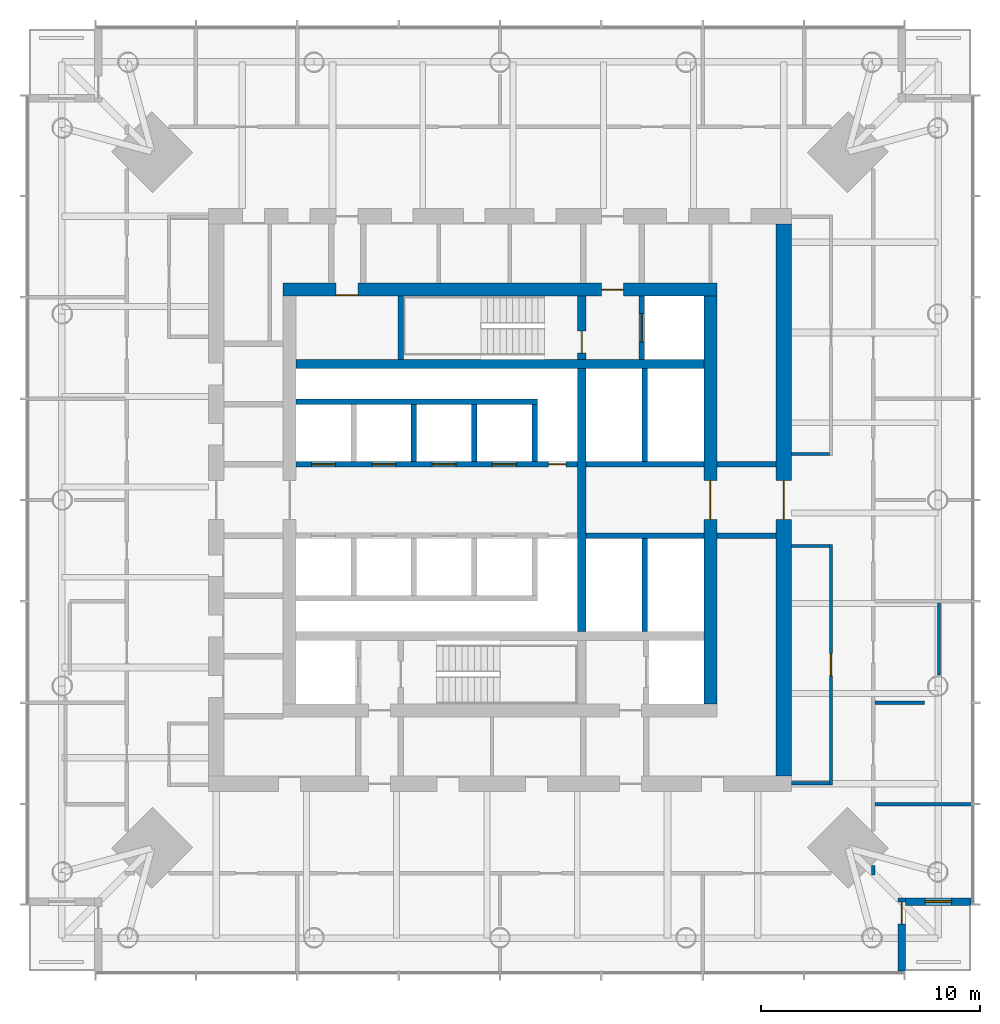
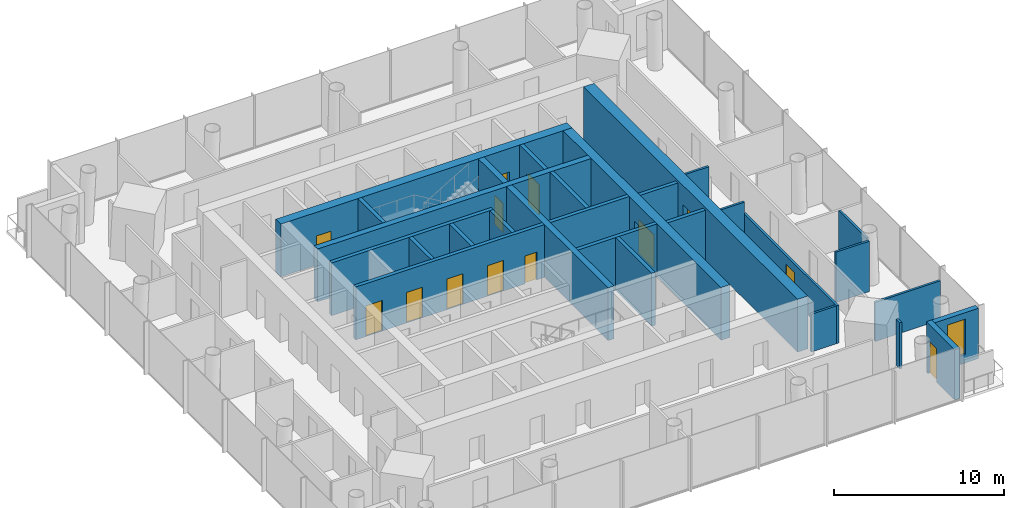
# One storey, part 6 of 9: 29 walls, 13 doors, 1 window, 14 openings.
"""IFC4 building model written with IfcOpenShell, lengths in metres."""

from ifc_helpers import new_model, si_unit, direction, frame, frame_2d, origin, place, context, subcontext, project, spatial, rectangle, extrude, material, layer, layer_set, type_object, element, fill, save


model = new_model("IFC4")

# Units and contexts
model_context = context("Model", 3, precision=1e-05, world=origin(), true_north=direction((0.0, 1.0)))
body_context = subcontext(model_context, "Body", "Model", "MODEL_VIEW")
ifc_project = project(units=[si_unit("LENGTHUNIT", "METRE"), si_unit("AREAUNIT", "SQUARE_METRE"), si_unit("VOLUMEUNIT", "CUBIC_METRE"), si_unit("PLANEANGLEUNIT", "RADIAN"), si_unit("MASSUNIT", "GRAM", prefix="KILO")], contexts=[model_context])

# Site, building, storey
site_placement = place(None, origin())
site = spatial("IfcSite", under=ifc_project, at=site_placement, CompositionType="ELEMENT")
building_placement = place(site_placement, origin())
building = spatial("IfcBuilding", under=site, at=building_placement, Name="Ostroluk Exchange", CompositionType="ELEMENT")
storey_placement = place(building_placement, frame((0.0, 0.0, 146.39990234375)))
storey = spatial("IfcBuildingStorey", under=building, at=storey_placement, Name="L37", CompositionType="ELEMENT", Elevation=146.39990234375)

# Walls
ifc_material_1 = material(Name="Concrete blockwork", Category="masonry")
ifc_layer_1 = layer(ifc_material_1, 0.25)
ifc_layer_set_1 = layer_set([ifc_layer_1], Name="Blockwork stair enclosure wall 250")
wall_type_1 = type_object("IfcWallType", Name="Blockwork stair enclosure wall 250", PredefinedType="SOLIDWALL", material=ifc_layer_set_1)
for number, where, z_axis, x_axis, name in (
    (1, (54.89990234375, 44.375, 0.0), (0.0, 0.0, 1.0), (1.0, 0.0, 0.0), "Lift lobby enclosure wall"),
    (2, (54.89990234375, 47.625, 0.0), (0.0, 0.0, 1.0), (1.0, 0.0, 0.0), "Lift lobby enclosure wall"),
):
    element("IfcWall", number, at=place(storey_placement, frame(where, z_axis=z_axis, x_axis=x_axis)), inside=storey, type_object=wall_type_1, Name=name, PredefinedType="SOLIDWALL", context=body_context, shape_type="SweptSolid", body=[
        extrude(rectangle(XDim=2.7001953125, YDim=0.25, at=frame_2d((1.35009765625, 0.0))), origin(), (0.0, 0.0, 1.0), 3.6201171875),
    ])
ifc_material_2 = material(Name="Concrete C50/60", Category="concrete")
ifc_layer_2 = layer(ifc_material_2, 0.39990234375)
ifc_layer_set_2 = layer_set([ifc_layer_2], Name="Core cross wall 400 C50/60")
wall_type_2 = type_object("IfcWallType", Name="Core cross wall 400 C50/60", PredefinedType="SHEAR", material=ifc_layer_set_2)
wall_1_placement = place(storey_placement, frame((35.699951171875, 52.199951171875, 0.0), z_axis=(0.0, 0.0, 1.0), x_axis=(1.0, 0.0, 0.0)))
element("IfcWall", 3, at=wall_1_placement, inside=storey, type_object=wall_type_2, Name="T1 core wall XN", PredefinedType="SHEAR", context=body_context, shape_type="SweptSolid", body=[
    extrude(rectangle(XDim=18.60009765625, YDim=0.39990234375, at=frame_2d((9.300048828125, 0.0))), origin(), (0.0, 0.0, 1.0), 3.800048828125),
])
wall_2_placement = place(storey_placement, frame((48.72998046875, 40.0, 0.0), z_axis=(0.0, 0.0, 1.0), x_axis=(0.0, 1.0, 0.0)))
element("IfcWall", 4, at=wall_2_placement, inside=storey, type_object=wall_type_2, Name="T1 core wall YE2", PredefinedType="SHEAR", context=body_context, shape_type="SweptSolid", body=[
    extrude(rectangle(XDim=12.0, YDim=0.39990234375, at=frame_2d((6.0, 0.0))), origin(), (0.0, 0.0, 1.0), 3.800048828125),
])

# Wall, opening, door
wall_3_placement = place(storey_placement, frame((48.72998046875, 52.39990234375, 0.0), z_axis=(0.0, 0.0, 1.0), x_axis=(0.0, 1.0, 0.0)))
wall_3 = element("IfcWall", 5, at=wall_3_placement, inside=storey, type_object=wall_type_2, Name="T1 core wall YE3", PredefinedType="SHEAR", context=body_context, shape_type="SweptSolid", body=[
    extrude(rectangle(XDim=2.900146484375, YDim=0.39990234375, at=frame_2d((1.4501953125, 0.0))), origin(), (0.0, 0.0, 1.0), 3.800048828125),
])
opening_1_placement = place(wall_3_placement, frame((0.300048828125, 0.0, 0.0)))
opening_1 = element("IfcOpeningElement", 6, at=opening_1_placement, cuts=wall_3, Name="Opening FD60", PredefinedType="OPENING", context=body_context, shape_type="SweptSolid", body=[
    extrude(rectangle(XDim=1.0, YDim=2.10009765625, at=frame_2d((0.5, 1.050048828125))), frame((0.0, 0.2099609375, 0.0), z_axis=(0.0, -1.0, 0.0), x_axis=(1.0, 0.0, 0.0)), (0.0, 0.0, 1.0), 0.419921875),
])
ifc_material_3 = material(Name="Steel", Category="steel")
door_type_1 = type_object("IfcDoorType", Name="Fire door EI 60 1000 x 2100", OperationType="SINGLE_SWING_LEFT", PredefinedType="DOOR", material=ifc_material_3)
door_1_placement = place(opening_1_placement, origin())
door_1 = element("IfcDoor", 7, at=door_1_placement, inside=storey, type_object=door_type_1, Name="Stair T1-S2 door", OperationType="SINGLE_SWING_LEFT", OverallHeight=2.10009765625, OverallWidth=1.0, PredefinedType="DOOR", context=body_context, shape_type="SweptSolid", body=[
    extrude(rectangle(XDim=1.0, YDim=2.10009765625, at=frame_2d((0.5, 1.050048828125))), frame((0.0, 0.02490234375, 0.0), z_axis=(0.0, -1.0, 0.0), x_axis=(1.0, 0.0, 0.0)), (0.0, 0.0, 1.0), 0.050048828125),
])
fill(opening_1, door_1)

# Wall
ifc_material_4 = material(Name="Concrete C40/50", Category="concrete")
ifc_layer_3 = layer(ifc_material_4, 0.25)
ifc_layer_set_3 = layer_set([ifc_layer_3], Name="Core shaft wall 250")
wall_type_3 = type_object("IfcWallType", Name="Core shaft wall 250", PredefinedType="SHEAR", material=ifc_layer_set_3)
wall_4_placement = place(storey_placement, frame((40.47509765625, 52.39990234375, 0.0), z_axis=(0.0, 0.0, 1.0), x_axis=(0.0, 1.0, 0.0)))
element("IfcWall", 8, at=wall_4_placement, inside=storey, type_object=wall_type_3, Name="Stair shaft wall", PredefinedType="SHEAR", context=body_context, shape_type="SweptSolid", body=[
    extrude(rectangle(XDim=2.900146484375, YDim=0.25, at=frame_2d((1.4501953125, 0.0))), origin(), (0.0, 0.0, 1.0), 3.800048828125),
])

# Wall, opening, door
wall_5_placement = place(storey_placement, frame((51.47509765625, 52.39990234375, 0.0), z_axis=(0.0, 0.0, 1.0), x_axis=(0.0, 1.0, 0.0)))
wall_5 = element("IfcWall", 9, at=wall_5_placement, inside=storey, type_object=wall_type_3, Name="Firefighting lift shaft wall", PredefinedType="SHEAR", context=body_context, shape_type="SweptSolid", body=[
    extrude(rectangle(XDim=2.900146484375, YDim=0.25, at=frame_2d((1.4501953125, 0.0))), origin(), (0.0, 0.0, 1.0), 3.800048828125),
])
opening_2_placement = place(wall_5_placement, frame((0.800048828125, 0.0, 0.0)))
opening_2 = element("IfcOpeningElement", 10, at=opening_2_placement, cuts=wall_5, Name="Opening LD2", PredefinedType="OPENING", context=body_context, shape_type="SweptSolid", body=[
    extrude(rectangle(XDim=1.300048828125, YDim=2.199951171875, at=frame_2d((0.64990234375, 1.10009765625))), frame((0.0, 0.135009765625, 0.0), z_axis=(0.0, -1.0, 0.0), x_axis=(1.0, 0.0, 0.0)), (0.0, 0.0, 1.0), 0.27001953125),
])
ifc_material_5 = material(Name="Stainless steel", Category="steel")
door_type_2 = type_object("IfcDoorType", Name="Lift landing door E 60 1300 x 2200", OperationType="DOUBLE_DOOR_SLIDING", PredefinedType="DOOR", material=ifc_material_5)
door_2_placement = place(opening_2_placement, origin())
door_2 = element("IfcDoor", 11, at=door_2_placement, inside=storey, type_object=door_type_2, Name="Lift FL2 landing door", OperationType="DOUBLE_DOOR_SLIDING", OverallHeight=2.199951171875, OverallWidth=1.300048828125, PredefinedType="DOOR", context=body_context, shape_type="SweptSolid", body=[
    extrude(rectangle(XDim=1.300048828125, YDim=2.199951171875, at=frame_2d((0.64990234375, 1.10009765625))), frame((0.0, 0.02490234375, 0.0), z_axis=(0.0, -1.0, 0.0), x_axis=(1.0, 0.0, 0.0)), (0.0, 0.0, 1.0), 0.050048828125),
])
fill(opening_2, door_2)

# Walls
for number, where, z_axis, x_axis, name in (
    (12, (41.074951171875, 47.75, 0.0), (0.0, 0.0, 1.0), (0.0, 1.0, 0.0), "Lift shaft wall"),
    (13, (43.824951171875, 47.75, 0.0), (0.0, 0.0, 1.0), (0.0, 1.0, 0.0), "Lift shaft wall"),
    (14, (46.574951171875, 47.75, 0.0), (0.0, 0.0, 1.0), (0.0, 1.0, 0.0), "Lift shaft wall"),
):
    element("IfcWall", number, at=place(storey_placement, frame(where, z_axis=z_axis, x_axis=x_axis)), inside=storey, type_object=wall_type_3, Name=name, PredefinedType="SHEAR", context=body_context, shape_type="SweptSolid", body=[
        extrude(rectangle(XDim=2.60009765625, YDim=0.25, at=frame_2d((1.300048828125, 0.0))), origin(), (0.0, 0.0, 1.0), 3.800048828125),
    ])
wall_6_placement = place(storey_placement, frame((35.699951171875, 50.47509765625, 0.0), z_axis=(0.0, 0.0, 1.0), x_axis=(1.0, 0.0, 0.0)))
element("IfcWall", 15, at=wall_6_placement, inside=storey, type_object=wall_type_3, Name="Lift shaft wall", PredefinedType="SHEAR", context=body_context, shape_type="SweptSolid", body=[
    extrude(rectangle(XDim=11.0, YDim=0.25, at=frame_2d((5.5, 0.0))), origin(), (0.0, 0.0, 1.0), 3.800048828125),
])

# Wall, openings, doors
wall_7_placement = place(storey_placement, frame((35.699951171875, 47.625, 0.0), z_axis=(0.0, 0.0, 1.0), x_axis=(1.0, 0.0, 0.0)))
wall_7 = element("IfcWall", 16, at=wall_7_placement, inside=storey, type_object=wall_type_3, Name="Lift shaft front wall", PredefinedType="SHEAR", context=body_context, shape_type="SweptSolid", body=[
    extrude(rectangle(XDim=12.830078125, YDim=0.25, at=frame_2d((6.4150390625, 0.0))), origin(), (0.0, 0.0, 1.0), 3.800048828125),
])
opening_3_placement = place(wall_7_placement, frame((0.699951171875, 0.0, 0.0)))
opening_3 = element("IfcOpeningElement", 17, at=opening_3_placement, cuts=wall_7, Name="Opening LD", PredefinedType="OPENING", context=body_context, shape_type="SweptSolid", body=[
    extrude(rectangle(XDim=1.10009765625, YDim=2.199951171875, at=frame_2d((0.550048828125, 1.10009765625))), frame((0.0, 0.135009765625, 0.0), z_axis=(0.0, -1.0, 0.0), x_axis=(1.0, 0.0, 0.0)), (0.0, 0.0, 1.0), 0.27001953125),
])
opening_4_placement = place(wall_7_placement, frame((3.449951171875, 0.0, 0.0)))
opening_4 = element("IfcOpeningElement", 18, at=opening_4_placement, cuts=wall_7, Name="Opening LD", PredefinedType="OPENING", context=body_context, shape_type="SweptSolid", body=[
    extrude(rectangle(XDim=1.10009765625, YDim=2.199951171875, at=frame_2d((0.550048828125, 1.10009765625))), frame((0.0, 0.135009765625, 0.0), z_axis=(0.0, -1.0, 0.0), x_axis=(1.0, 0.0, 0.0)), (0.0, 0.0, 1.0), 0.27001953125),
])
opening_5_placement = place(wall_7_placement, frame((6.199951171875, 0.0, 0.0)))
opening_5 = element("IfcOpeningElement", 19, at=opening_5_placement, cuts=wall_7, Name="Opening LD", PredefinedType="OPENING", context=body_context, shape_type="SweptSolid", body=[
    extrude(rectangle(XDim=1.10009765625, YDim=2.199951171875, at=frame_2d((0.550048828125, 1.10009765625))), frame((0.0, 0.135009765625, 0.0), z_axis=(0.0, -1.0, 0.0), x_axis=(1.0, 0.0, 0.0)), (0.0, 0.0, 1.0), 0.27001953125),
])
opening_6_placement = place(wall_7_placement, frame((8.949951171875, 0.0, 0.0)))
opening_6 = element("IfcOpeningElement", 20, at=opening_6_placement, cuts=wall_7, Name="Opening LD", PredefinedType="OPENING", context=body_context, shape_type="SweptSolid", body=[
    extrude(rectangle(XDim=1.10009765625, YDim=2.199951171875, at=frame_2d((0.550048828125, 1.10009765625))), frame((0.0, 0.135009765625, 0.0), z_axis=(0.0, -1.0, 0.0), x_axis=(1.0, 0.0, 0.0)), (0.0, 0.0, 1.0), 0.27001953125),
])
opening_7_placement = place(wall_7_placement, frame((11.514892578125, 0.0, 0.0)))
opening_7 = element("IfcOpeningElement", 21, at=opening_7_placement, cuts=wall_7, Name="Opening RD60", PredefinedType="OPENING", context=body_context, shape_type="SweptSolid", body=[
    extrude(rectangle(XDim=0.800048828125, YDim=2.0, at=frame_2d((0.39990234375, 1.0))), frame((0.0, 0.135009765625, 0.0), z_axis=(0.0, -1.0, 0.0), x_axis=(1.0, 0.0, 0.0)), (0.0, 0.0, 1.0), 0.27001953125),
])
ifc_material_6 = material(Name="Stainless steel", Category="steel")
door_type_3 = type_object("IfcDoorType", Name="Lift landing door E 60 1100 x 2200", OperationType="DOUBLE_DOOR_SLIDING", PredefinedType="DOOR", material=ifc_material_6)
door_3_placement = place(opening_3_placement, origin())
door_3 = element("IfcDoor", 22, at=door_3_placement, inside=storey, type_object=door_type_3, Name="Lift PL-M1 landing door", OperationType="DOUBLE_DOOR_SLIDING", OverallHeight=2.199951171875, OverallWidth=1.10009765625, PredefinedType="DOOR", context=body_context, shape_type="SweptSolid", body=[
    extrude(rectangle(XDim=1.10009765625, YDim=2.199951171875, at=frame_2d((0.550048828125, 1.10009765625))), frame((0.0, 0.02490234375, 0.0), z_axis=(0.0, -1.0, 0.0), x_axis=(1.0, 0.0, 0.0)), (0.0, 0.0, 1.0), 0.050048828125),
])
fill(opening_3, door_3)
door_4_placement = place(opening_4_placement, origin())
door_4 = element("IfcDoor", 23, at=door_4_placement, inside=storey, type_object=door_type_3, Name="Lift PL-M2 landing door", OperationType="DOUBLE_DOOR_SLIDING", OverallHeight=2.199951171875, OverallWidth=1.10009765625, PredefinedType="DOOR", context=body_context, shape_type="SweptSolid", body=[
    extrude(rectangle(XDim=1.10009765625, YDim=2.199951171875, at=frame_2d((0.550048828125, 1.10009765625))), frame((0.0, 0.02490234375, 0.0), z_axis=(0.0, -1.0, 0.0), x_axis=(1.0, 0.0, 0.0)), (0.0, 0.0, 1.0), 0.050048828125),
])
fill(opening_4, door_4)
door_5_placement = place(opening_5_placement, origin())
door_5 = element("IfcDoor", 24, at=door_5_placement, inside=storey, type_object=door_type_3, Name="Lift PL-M3 landing door", OperationType="DOUBLE_DOOR_SLIDING", OverallHeight=2.199951171875, OverallWidth=1.10009765625, PredefinedType="DOOR", context=body_context, shape_type="SweptSolid", body=[
    extrude(rectangle(XDim=1.10009765625, YDim=2.199951171875, at=frame_2d((0.550048828125, 1.10009765625))), frame((0.0, 0.02490234375, 0.0), z_axis=(0.0, -1.0, 0.0), x_axis=(1.0, 0.0, 0.0)), (0.0, 0.0, 1.0), 0.050048828125),
])
fill(opening_5, door_5)
door_6_placement = place(opening_6_placement, origin())
door_6 = element("IfcDoor", 25, at=door_6_placement, inside=storey, type_object=door_type_3, Name="Lift PL-M4 landing door", OperationType="DOUBLE_DOOR_SLIDING", OverallHeight=2.199951171875, OverallWidth=1.10009765625, PredefinedType="DOOR", context=body_context, shape_type="SweptSolid", body=[
    extrude(rectangle(XDim=1.10009765625, YDim=2.199951171875, at=frame_2d((0.550048828125, 1.10009765625))), frame((0.0, 0.02490234375, 0.0), z_axis=(0.0, -1.0, 0.0), x_axis=(1.0, 0.0, 0.0)), (0.0, 0.0, 1.0), 0.050048828125),
])
fill(opening_6, door_6)
ifc_material_7 = material(Name="Steel", Category="steel")
door_type_4 = type_object("IfcDoorType", Name="Riser access door EI 60 800 x 2000", OperationType="SINGLE_SWING_LEFT", PredefinedType="DOOR", material=ifc_material_7)
door_7_placement = place(opening_7_placement, origin())
door_7 = element("IfcDoor", 26, at=door_7_placement, inside=storey, type_object=door_type_4, Name="Riser access door", OperationType="SINGLE_SWING_RIGHT", OverallHeight=2.0, OverallWidth=0.800048828125, PredefinedType="DOOR", context=body_context, shape_type="SweptSolid", body=[
    extrude(rectangle(XDim=0.800048828125, YDim=2.0, at=frame_2d((0.39990234375, 1.0))), frame((0.0, 0.02490234375, 0.0), z_axis=(0.0, -1.0, 0.0), x_axis=(1.0, 0.0, 0.0)), (0.0, 0.0, 1.0), 0.050048828125),
])
fill(opening_7, door_7)

# Walls
wall_8_placement = place(storey_placement, frame((51.614990234375, 47.75, 0.0), z_axis=(0.0, 0.0, 1.0), x_axis=(0.0, 1.0, 0.0)))
element("IfcWall", 27, at=wall_8_placement, inside=storey, type_object=wall_type_3, Name="Lift shaft wall", PredefinedType="SHEAR", context=body_context, shape_type="SweptSolid", body=[
    extrude(rectangle(XDim=4.25, YDim=0.25, at=frame_2d((2.125, 0.0))), origin(), (0.0, 0.0, 1.0), 3.800048828125),
])
wall_9_placement = place(storey_placement, frame((48.929931640625, 47.625, 0.0), z_axis=(0.0, 0.0, 1.0), x_axis=(1.0, 0.0, 0.0)))
element("IfcWall", 28, at=wall_9_placement, inside=storey, type_object=wall_type_3, Name="Lift shaft front wall", PredefinedType="SHEAR", context=body_context, shape_type="SweptSolid", body=[
    extrude(rectangle(XDim=5.3701171875, YDim=0.25, at=frame_2d((2.68505859375, 0.0))), origin(), (0.0, 0.0, 1.0), 3.800048828125),
])
wall_10_placement = place(storey_placement, frame((51.614990234375, 44.25, 0.0), z_axis=(0.0, 0.0, 1.0), x_axis=(0.0, -1.0, 0.0)))
element("IfcWall", 29, at=wall_10_placement, inside=storey, type_object=wall_type_3, Name="Lift shaft wall", PredefinedType="SHEAR", context=body_context, shape_type="SweptSolid", body=[
    extrude(rectangle(XDim=4.25, YDim=0.25, at=frame_2d((2.125, 0.0))), origin(), (0.0, 0.0, 1.0), 3.800048828125),
])
wall_11_placement = place(storey_placement, frame((48.929931640625, 44.375, 0.0), z_axis=(0.0, 0.0, 1.0), x_axis=(1.0, 0.0, 0.0)))
element("IfcWall", 30, at=wall_11_placement, inside=storey, type_object=wall_type_3, Name="Lift shaft front wall", PredefinedType="SHEAR", context=body_context, shape_type="SweptSolid", body=[
    extrude(rectangle(XDim=5.3701171875, YDim=0.25, at=frame_2d((2.68505859375, 0.0))), origin(), (0.0, 0.0, 1.0), 3.800048828125),
])

# Wall, openings, doors
ifc_material_8 = material(Name="Concrete C50/60", Category="concrete")
ifc_layer_4 = layer(ifc_material_8, 0.60009765625)
ifc_layer_set_4 = layer_set([ifc_layer_4], Name="Core wall 600 C50/60")
wall_type_4 = type_object("IfcWallType", Name="Core wall 600 C50/60", PredefinedType="SHEAR", material=ifc_layer_set_4)
wall_12_placement = place(storey_placement, frame((35.10009765625, 55.60009765625, 0.0), z_axis=(0.0, 0.0, 1.0), x_axis=(1.0, 0.0, 0.0)))
wall_12 = element("IfcWall", 31, at=wall_12_placement, inside=storey, type_object=wall_type_4, Name="T1 core wall N", PredefinedType="SHEAR", context=body_context, shape_type="SweptSolid", body=[
    extrude(rectangle(XDim=19.7998046875, YDim=0.60009765625, at=frame_2d((9.89990234375, 0.0))), origin(), (0.0, 0.0, 1.0), 3.800048828125),
])
opening_8_placement = place(wall_12_placement, frame((14.5400390625, 0.0, 0.0)))
opening_8 = element("IfcOpeningElement", 32, at=opening_8_placement, cuts=wall_12, Name="Opening FD60", PredefinedType="OPENING", context=body_context, shape_type="SweptSolid", body=[
    extrude(rectangle(XDim=1.0, YDim=2.10009765625, at=frame_2d((0.5, 1.050048828125))), frame((0.0, 0.31005859375, 0.0), z_axis=(0.0, -1.0, 0.0), x_axis=(1.0, 0.0, 0.0)), (0.0, 0.0, 1.0), 0.6201171875),
])
opening_9_placement = place(wall_12_placement, frame((2.425048828125, 0.0, 0.0)))
opening_9 = element("IfcOpeningElement", 33, at=opening_9_placement, cuts=wall_12, Name="Opening FD60", PredefinedType="OPENING", context=body_context, shape_type="SweptSolid", body=[
    extrude(rectangle(XDim=1.0, YDim=2.10009765625, at=frame_2d((0.5, 1.050048828125))), frame((0.0, 0.31005859375, 0.0), z_axis=(0.0, -1.0, 0.0), x_axis=(1.0, 0.0, 0.0)), (0.0, 0.0, 1.0), 0.6201171875),
])
door_8_placement = place(opening_8_placement, origin())
door_8 = element("IfcDoor", 34, at=door_8_placement, inside=storey, type_object=door_type_1, Name="Firefighting lobby door", OperationType="SINGLE_SWING_RIGHT", OverallHeight=2.10009765625, OverallWidth=1.0, PredefinedType="DOOR", context=body_context, shape_type="SweptSolid", body=[
    extrude(rectangle(XDim=1.0, YDim=2.10009765625, at=frame_2d((0.5, 1.050048828125))), frame((0.0, 0.02490234375, 0.0), z_axis=(0.0, -1.0, 0.0), x_axis=(1.0, 0.0, 0.0)), (0.0, 0.0, 1.0), 0.050048828125),
])
fill(opening_8, door_8)
door_9_placement = place(opening_9_placement, origin())
door_9 = element("IfcDoor", 35, at=door_9_placement, inside=storey, type_object=door_type_1, Name="Tea point door", OperationType="SINGLE_SWING_LEFT", OverallHeight=2.10009765625, OverallWidth=1.0, PredefinedType="DOOR", context=body_context, shape_type="SweptSolid", body=[
    extrude(rectangle(XDim=1.0, YDim=2.10009765625, at=frame_2d((0.5, 1.050048828125))), frame((0.0, -0.23974609375, 0.0), z_axis=(0.0, -1.0, 0.0), x_axis=(1.0, 0.0, 0.0)), (0.0, 0.0, 1.0), 0.050048828125),
])
fill(opening_9, door_9)

# Wall, opening, door
wall_13_placement = place(storey_placement, frame((54.60009765625, 36.699951171875, 0.0), z_axis=(0.0, 0.0, 1.0), x_axis=(0.0, 1.0, 0.0)))
wall_13 = element("IfcWall", 36, at=wall_13_placement, inside=storey, type_object=wall_type_4, Name="T1 core wall E", PredefinedType="SHEAR", context=body_context, shape_type="SweptSolid", body=[
    extrude(rectangle(XDim=18.60009765625, YDim=0.60009765625, at=frame_2d((9.300048828125, 0.0))), origin(), (0.0, 0.0, 1.0), 3.800048828125),
])
opening_10_placement = place(wall_13_placement, frame((8.39990234375, 0.0, 0.0)))
opening_10 = element("IfcOpeningElement", 37, at=opening_10_placement, cuts=wall_13, Name="Opening FD30D", PredefinedType="OPENING", context=body_context, shape_type="SweptSolid", body=[
    extrude(rectangle(XDim=1.800048828125, YDim=2.39990234375, at=frame_2d((0.89990234375, 1.199951171875))), frame((0.0, 0.31005859375, 0.0), z_axis=(0.0, -1.0, 0.0), x_axis=(1.0, 0.0, 0.0)), (0.0, 0.0, 1.0), 0.6201171875),
])
ifc_material_9 = material(Name="Timber", Category="wood")
door_type_5 = type_object("IfcDoorType", Name="Lobby double door EI 30 1800 x 2400", OperationType="DOUBLE_DOOR_SINGLE_SWING", PredefinedType="DOOR", material=ifc_material_9)
door_10_placement = place(opening_10_placement, origin())
door_10 = element("IfcDoor", 38, at=door_10_placement, inside=storey, type_object=door_type_5, Name="Lift lobby doors", OperationType="DOUBLE_DOOR_SINGLE_SWING", OverallHeight=2.39990234375, OverallWidth=1.800048828125, PredefinedType="DOOR", context=body_context, shape_type="SweptSolid", body=[
    extrude(rectangle(XDim=1.800048828125, YDim=2.39990234375, at=frame_2d((0.89990234375, 1.199951171875))), frame((0.0, 0.02490234375, 0.0), z_axis=(0.0, -1.0, 0.0), x_axis=(1.0, 0.0, 0.0)), (0.0, 0.0, 1.0), 0.050048828125),
])
fill(opening_10, door_10)

ifc_material_10 = material(Name="Concrete C50/60", Category="concrete")
ifc_layer_5 = layer(ifc_material_10, 0.699951171875)
ifc_layer_set_5 = layer_set([ifc_layer_5], Name="Core wall 700 C50/60")
wall_type_5 = type_object("IfcWallType", Name="Core wall 700 C50/60", PredefinedType="SHEAR", material=ifc_layer_set_5)
wall_14_placement = place(storey_placement, frame((57.949951171875, 33.39990234375, 0.0), z_axis=(0.0, 0.0, 1.0), x_axis=(0.0, 1.0, 0.0)))
wall_14 = element("IfcWall", 39, at=wall_14_placement, inside=storey, type_object=wall_type_5, Name="T1 core wall RE", PredefinedType="SHEAR", context=body_context, shape_type="SweptSolid", body=[
    extrude(rectangle(XDim=25.2001953125, YDim=0.699951171875, at=frame_2d((12.60009765625, 0.0))), origin(), (0.0, 0.0, 1.0), 3.800048828125),
])
opening_11_placement = place(wall_14_placement, frame((11.699951171875, 0.0, 0.0)))
opening_11 = element("IfcOpeningElement", 40, at=opening_11_placement, cuts=wall_14, Name="Opening FD30D", PredefinedType="OPENING", context=body_context, shape_type="SweptSolid", body=[
    extrude(rectangle(XDim=1.800048828125, YDim=2.39990234375, at=frame_2d((0.89990234375, 1.199951171875))), frame((0.0, 0.35986328125, 0.0), z_axis=(0.0, -1.0, 0.0), x_axis=(1.0, 0.0, 0.0)), (0.0, 0.0, 1.0), 0.719970703125),
])
door_11_placement = place(opening_11_placement, origin())
door_11 = element("IfcDoor", 41, at=door_11_placement, inside=storey, type_object=door_type_5, Name="Lift lobby doors", OperationType="DOUBLE_DOOR_SINGLE_SWING", OverallHeight=2.39990234375, OverallWidth=1.800048828125, PredefinedType="DOOR", context=body_context, shape_type="SweptSolid", body=[
    extrude(rectangle(XDim=1.800048828125, YDim=2.39990234375, at=frame_2d((0.89990234375, 1.199951171875))), frame((0.0, 0.02490234375, 0.0), z_axis=(0.0, -1.0, 0.0), x_axis=(1.0, 0.0, 0.0)), (0.0, 0.0, 1.0), 0.050048828125),
])
fill(opening_11, door_11)

ifc_material_11 = material(Name="Limestone", Category="masonry")
ifc_layer_6 = layer(ifc_material_11, 0.35009765625)
ifc_layer_set_6 = layer_set([ifc_layer_6], Name="Limestone facade wall 350")
wall_type_6 = type_object("IfcWallType", Name="Limestone facade wall 350", PredefinedType="SOLIDWALL", material=ifc_layer_set_6)
wall_15_placement = place(storey_placement, frame((63.324951171875, 24.5, 0.0), z_axis=(0.0, 0.0, 1.0), x_axis=(0.0, 1.0, 0.0)))
wall_15 = element("IfcWall", 42, at=wall_15_placement, inside=storey, type_object=wall_type_6, Name="Office tower SE corner wall L37 a", PredefinedType="SOLIDWALL", context=body_context, shape_type="SweptSolid", body=[
    extrude(rectangle(XDim=3.35009765625, YDim=0.35009765625, at=frame_2d((1.675048828125, 0.0))), origin(), (0.0, 0.0, 1.0), 3.6201171875),
])
opening_12_placement = place(wall_15_placement, frame((2.14990234375, 0.0, 0.0)))
opening_12 = element("IfcOpeningElement", 43, at=opening_12_placement, cuts=wall_15, Name="Opening D-B1", PredefinedType="OPENING", context=body_context, shape_type="SweptSolid", body=[
    extrude(rectangle(XDim=1.0, YDim=2.39990234375, at=frame_2d((0.5, 1.199951171875))), frame((0.0, 0.18505859375, 0.0), z_axis=(0.0, -1.0, 0.0), x_axis=(1.0, 0.0, 0.0)), (0.0, 0.0, 1.0), 0.3701171875),
])
ifc_material_12 = material(Name="Bronze framed glazed door", Category="aluminium")
door_type_6 = type_object("IfcDoorType", Name="Balcony door 1000 x 2400", OperationType="SINGLE_SWING_LEFT", PredefinedType="DOOR", material=ifc_material_12)
door_12_placement = place(opening_12_placement, origin())
door_12 = element("IfcDoor", 44, at=door_12_placement, inside=storey, type_object=door_type_6, Name="Office tower SE balcony door L37", OperationType="SINGLE_SWING_RIGHT", OverallHeight=2.39990234375, OverallWidth=1.0, PredefinedType="DOOR", context=body_context, shape_type="SweptSolid", body=[
    extrude(rectangle(XDim=1.0, YDim=2.39990234375, at=frame_2d((0.5, 1.199951171875))), frame((0.0, 0.02490234375, 0.0), z_axis=(0.0, -1.0, 0.0), x_axis=(1.0, 0.0, 0.0)), (0.0, 0.0, 1.0), 0.050048828125),
])
fill(opening_12, door_12)

# Wall, opening, window
wall_16_placement = place(storey_placement, frame((63.5, 27.675048828125, 0.0), z_axis=(0.0, 0.0, 1.0), x_axis=(1.0, 0.0, 0.0)))
wall_16 = element("IfcWall", 45, at=wall_16_placement, inside=storey, type_object=wall_type_6, Name="Office tower SE corner wall L37 b", PredefinedType="SOLIDWALL", context=body_context, shape_type="SweptSolid", body=[
    extrude(rectangle(XDim=3.0, YDim=0.35009765625, at=frame_2d((1.5, 0.0))), origin(), (0.0, 0.0, 1.0), 3.6201171875),
])
opening_13_placement = place(wall_16_placement, frame((0.89990234375, 0.0, 0.60009765625)))
opening_13 = element("IfcOpeningElement", 46, at=opening_13_placement, cuts=wall_16, Name="Opening WN-L1", PredefinedType="OPENING", context=body_context, shape_type="SweptSolid", body=[
    extrude(rectangle(XDim=1.199951171875, YDim=2.550048828125, at=frame_2d((0.60009765625, 1.27490234375))), frame((0.0, 0.18505859375, 0.0), z_axis=(0.0, -1.0, 0.0), x_axis=(1.0, 0.0, 0.0)), (0.0, 0.0, 1.0), 0.3701171875),
])
ifc_material_13 = material(Name="Laminated clear glass", Category="glass")
window_type = type_object("IfcWindowType", Name="Lancet window 1200 x 2550", PartitioningType="SINGLE_PANEL", PredefinedType="WINDOW", material=ifc_material_13)
window_placement = place(opening_13_placement, origin())
window = element("IfcWindow", 47, at=window_placement, inside=storey, type_object=window_type, Name="Office tower SE lancet window L37", OverallHeight=2.550048828125, OverallWidth=1.199951171875, PartitioningType="SINGLE_PANEL", PredefinedType="WINDOW", context=body_context, shape_type="SweptSolid", body=[
    extrude(rectangle(XDim=1.199951171875, YDim=2.550048828125, at=frame_2d((0.60009765625, 1.27490234375))), frame((0.0, 0.030029296875, 0.0), z_axis=(0.0, -1.0, 0.0), x_axis=(1.0, 0.0, 0.0)), (0.0, 0.0, 1.0), 0.06005859375),
])
fill(opening_13, window)

# Wall, opening, door
ifc_material_14 = material(Name="Gypsum plasterboard partition", Category="gypsum")
ifc_layer_7 = layer(ifc_material_14, 0.14990234375)
ifc_layer_set_7 = layer_set([ifc_layer_7], Name="Plasterboard partition 150")
wall_type_7 = type_object("IfcWallType", Name="Plasterboard partition 150", PredefinedType="PARTITIONING", material=ifc_layer_set_7)
wall_17_placement = place(storey_placement, frame((60.10009765625, 33.0, 0.0), z_axis=(0.0, 0.0, 1.0), x_axis=(0.0, 1.0, 0.0)))
wall_17 = element("IfcWall", 48, at=wall_17_placement, inside=storey, type_object=wall_type_7, Name="Partition", PredefinedType="PARTITIONING", context=body_context, shape_type="SweptSolid", body=[
    extrude(rectangle(XDim=10.97509765625, YDim=0.14990234375, at=frame_2d((5.487548828125, 0.0))), origin(), (0.0, 0.0, 1.0), 2.72021484375),
])
opening_14_placement = place(wall_17_placement, frame((4.987548828125, 0.0, 0.0)))
opening_14 = element("IfcOpeningElement", 49, at=opening_14_placement, cuts=wall_17, Name="Opening D-03", PredefinedType="OPENING", context=body_context, shape_type="SweptSolid", body=[
    extrude(rectangle(XDim=1.0, YDim=2.10009765625, at=frame_2d((0.5, 1.050048828125))), frame((0.0, 0.0849609375, 0.0), z_axis=(0.0, -1.0, 0.0), x_axis=(1.0, 0.0, 0.0)), (0.0, 0.0, 1.0), 0.169921875),
])
ifc_material_15 = material(Name="Timber", Category="wood")
door_type_7 = type_object("IfcDoorType", Name="Internal door 1000 x 2100", OperationType="SINGLE_SWING_LEFT", PredefinedType="DOOR", material=ifc_material_15)
door_13_placement = place(opening_14_placement, origin())
door_13 = element("IfcDoor", 50, at=door_13_placement, inside=storey, type_object=door_type_7, Name="Staff room door", OperationType="SINGLE_SWING_LEFT", OverallHeight=2.10009765625, OverallWidth=1.0, PredefinedType="DOOR", context=body_context, shape_type="SweptSolid", body=[
    extrude(rectangle(XDim=1.0, YDim=2.10009765625, at=frame_2d((0.5, 1.050048828125))), frame((0.0, 0.02490234375, 0.0), z_axis=(0.0, -1.0, 0.0), x_axis=(1.0, 0.0, 0.0)), (0.0, 0.0, 1.0), 0.050048828125),
])
fill(opening_14, door_13)

# Walls
wall_18_placement = place(storey_placement, frame((58.300048828125, 33.074951171875, 0.0), z_axis=(0.0, 0.0, 1.0), x_axis=(1.0, 0.0, 0.0)))
element("IfcWall", 51, at=wall_18_placement, inside=storey, type_object=wall_type_7, Name="Partition", PredefinedType="PARTITIONING", context=body_context, shape_type="SweptSolid", body=[
    extrude(rectangle(XDim=1.724853515625, YDim=0.14990234375, at=frame_2d((0.8623046875, 0.0))), origin(), (0.0, 0.0, 1.0), 2.72021484375),
])
for number, where, z_axis, x_axis, name in (
    (52, (58.300048828125, 43.89990234375, 0.0), (0.0, 0.0, 1.0), (1.0, 0.0, 0.0), "Partition"),
    (53, (58.300048828125, 48.10009765625, 0.0), (0.0, 0.0, 1.0), (1.0, 0.0, 0.0), "Partition"),
):
    element("IfcWall", number, at=place(storey_placement, frame(where, z_axis=z_axis, x_axis=x_axis)), inside=storey, type_object=wall_type_7, Name=name, PredefinedType="PARTITIONING", context=body_context, shape_type="SweptSolid", body=[
        extrude(rectangle(XDim=1.724853515625, YDim=0.14990234375, at=frame_2d((0.8623046875, 0.0))), origin(), (0.0, 0.0, 1.0), 3.6201171875),
    ])
wall_19_placement = place(storey_placement, frame((65.02490234375, 38.021240234375, 0.0), z_axis=(0.0, 0.0, 1.0), x_axis=(0.0, 1.0, 0.0)))
element("IfcWall", 54, at=wall_19_placement, inside=storey, type_object=wall_type_7, Name="Partition", PredefinedType="PARTITIONING", context=body_context, shape_type="SweptSolid", body=[
    extrude(rectangle(XDim=3.27880859375, YDim=0.14990234375, at=frame_2d((1.639404296875, 0.0))), origin(), (0.0, 0.0, 1.0), 2.820068359375),
])
wall_20_placement = place(storey_placement, frame((62.02490234375, 28.89990234375, 0.0), z_axis=(0.0, 0.0, 1.0), x_axis=(0.0, 1.0, 0.0)))
element("IfcWall", 55, at=wall_20_placement, inside=storey, type_object=wall_type_7, Name="Partition", PredefinedType="PARTITIONING", context=body_context, shape_type="SweptSolid", body=[
    extrude(rectangle(XDim=0.426025390625, YDim=0.14990234375, at=frame_2d((0.212890625, 0.0))), origin(), (0.0, 0.0, 1.0), 3.320068359375),
])
wall_21_placement = place(storey_placement, frame((62.10009765625, 32.125, 0.0), z_axis=(0.0, 0.0, 1.0), x_axis=(1.0, 0.0, 0.0)))
element("IfcWall", 56, at=wall_21_placement, inside=storey, type_object=wall_type_7, Name="Partition", PredefinedType="PARTITIONING", context=body_context, shape_type="SweptSolid", body=[
    extrude(rectangle(XDim=4.43994140625, YDim=0.14990234375, at=frame_2d((2.219970703125, 0.0))), origin(), (0.0, 0.0, 1.0), 2.820068359375),
])
wall_22_placement = place(storey_placement, frame((62.10009765625, 36.75, 0.0), z_axis=(0.0, 0.0, 1.0), x_axis=(1.0, 0.0, 0.0)))
element("IfcWall", 57, at=wall_22_placement, inside=storey, type_object=wall_type_7, Name="Partition", PredefinedType="PARTITIONING", context=body_context, shape_type="SweptSolid", body=[
    extrude(rectangle(XDim=2.2763671875, YDim=0.14990234375, at=frame_2d((1.13818359375, 0.0))), origin(), (0.0, 0.0, 1.0), 3.6201171875),
])

save(model, "model.ifc")
